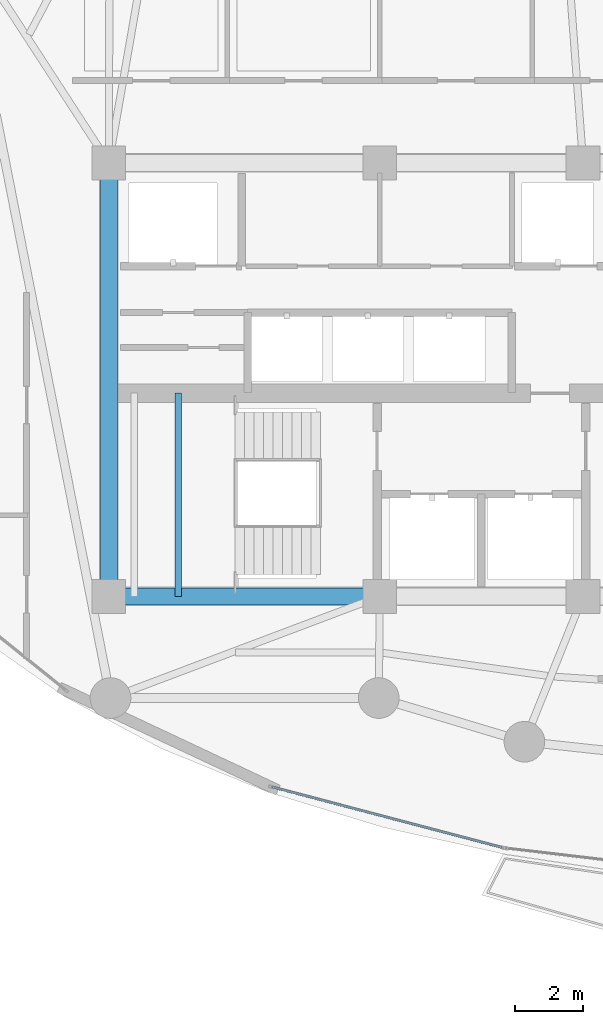
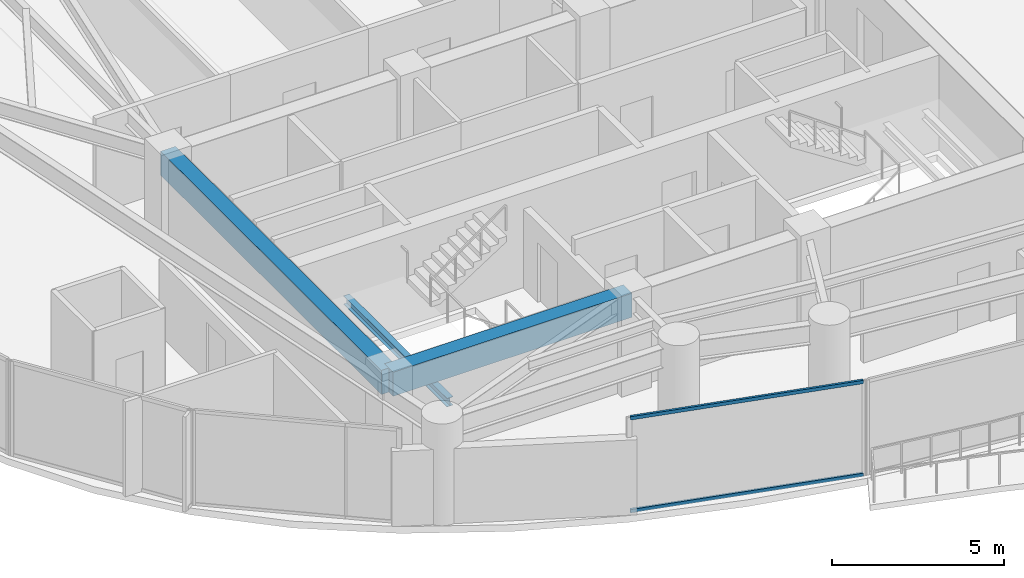
# One storey, part 4 of 34: 3 beams, 2 members, 1 element without a shape of its own.
"""IFC4 building model written with IfcOpenShell, lengths in metres."""

from ifc_helpers import new_model, si_unit, direction, frame, origin, origin_2d, place, context, subcontext, project, spatial, rectangle, hollow_rectangle, i_section, extrude, material, layer, layer_set, material_profile, profile_set, type_object, element, aggregate, save


model = new_model("IFC4")

# Units and contexts
model_context = context("Model", 3, precision=1e-05, world=origin(), true_north=direction((0.0, 1.0)))
body_context = subcontext(model_context, "Body", "Model", "MODEL_VIEW")
ifc_project = project(units=[si_unit("LENGTHUNIT", "METRE"), si_unit("AREAUNIT", "SQUARE_METRE"), si_unit("VOLUMEUNIT", "CUBIC_METRE"), si_unit("PLANEANGLEUNIT", "RADIAN"), si_unit("MASSUNIT", "GRAM", prefix="KILO")], contexts=[model_context])

# Site, building, storey
site_placement = place(None, origin())
site = spatial("IfcSite", under=ifc_project, at=site_placement, CompositionType="ELEMENT")
building_placement = place(site_placement, origin())
building = spatial("IfcBuilding", under=site, at=building_placement, Name="Kazevale Care Tower and Concert Hall", CompositionType="ELEMENT")
storey_placement = place(building_placement, frame((0.0, 0.0, 174.60009765625)))
storey = spatial("IfcBuildingStorey", under=building, at=storey_placement, Name="L46", CompositionType="ELEMENT", Elevation=174.60009765625)

# Curtain wall, members
ifc_material_1 = material(Name="Aluminium 6063-T6 and Low-E Glass", Category="aluminium")
ifc_layer = layer(ifc_material_1, 0.179931640625)
ifc_layer_set = layer_set([ifc_layer], Name="Aluminium 6063-T6 and Low-E Glass")
curtain_wall_type = type_object("IfcCurtainWallType", Name="Sheltered Concave Balcony Curtain Wall CW-5", PredefinedType="NOTDEFINED", material=ifc_layer_set)
curtain_wall_placement = place(storey_placement, origin())
curtain_wall = element("IfcCurtainWall", 1, at=curtain_wall_placement, inside=storey, type_object=curtain_wall_type, Name="cw:L46:f08", PredefinedType="NOTDEFINED")
ifc_material_2 = material(Name="Aluminium 6063-T6", Category="aluminium")
ifc_material_profile_1 = material_profile(ifc_material_2, hollow_rectangle(XDim=0.074951171875, YDim=0.1201171875, WallThickness=0.00390625, at=origin_2d()), Name="ALU75x120x4")
ifc_profile_set_1 = profile_set([ifc_material_profile_1], Name="Aluminium 6063-T6")
member_type = type_object("IfcMemberType", Name="CW-5 Transom ALU75x120x4", PredefinedType="USERDEFINED", material=ifc_profile_set_1)
member_1_placement = place(storey_placement, frame((33.598388671875, 16.193115234375, 0.037353515625), z_axis=(-0.967142752699, 0.254233939321, 0.0), x_axis=(-0.254233939321, -0.967142752699, 0.0)))
member_1 = element("IfcMember", 2, at=member_1_placement, type_object=member_type, Name="CW-5 transom 1.1", ObjectType="TRANSOM", PredefinedType="USERDEFINED", context=body_context, shape_type="SweptSolid", body=[
    extrude(hollow_rectangle(XDim=0.074951171875, YDim=0.1201171875, WallThickness=0.00390625, at=origin_2d()), origin(), (0.0, 0.0, 1.0), 6.996826171875),
])
member_2_placement = place(storey_placement, frame((33.598388671875, 16.193115234375, 3.322509765625), z_axis=(-0.967142752699, 0.254233939321, 0.0), x_axis=(-0.254233939321, -0.967142752699, 0.0)))
member_2 = element("IfcMember", 3, at=member_2_placement, type_object=member_type, Name="CW-5 transom 1.2", ObjectType="TRANSOM", PredefinedType="USERDEFINED", context=body_context, shape_type="SweptSolid", body=[
    extrude(hollow_rectangle(XDim=0.074951171875, YDim=0.1201171875, WallThickness=0.00390625, at=origin_2d()), origin(), (0.0, 0.0, 1.0), 6.996826171875),
])
aggregate(curtain_wall, [member_1, member_2])

# Beams
ifc_material_3 = material(Name="Concrete C60", Category="concrete")
ifc_material_profile_2 = material_profile(ifc_material_3, rectangle(XDim=0.5, YDim=0.85009765625, at=origin_2d()), Name="RC-B500x850")
ifc_profile_set_2 = profile_set([ifc_material_profile_2], Name="Concrete C60")
beam_type_1 = type_object("IfcBeamType", Name="Core Coupling Beam RC500x850", PredefinedType="LINTEL", material=ifc_profile_set_2)
beam_1_placement = place(storey_placement, frame((22.0, 23.60009765625, 2.934814453125), z_axis=(1.0, 0.0, 0.0), x_axis=(0.0, 1.0, 0.0)))
element("IfcBeam", 4, at=beam_1_placement, inside=storey, type_object=beam_type_1, Name="beam:L46:coretie:1", PredefinedType="LINTEL", context=body_context, shape_type="SweptSolid", body=[
    extrude(rectangle(XDim=0.5, YDim=0.85009765625, at=origin_2d()), origin(), (0.0, 0.0, 1.0), 8.0),
])
beam_2_placement = place(storey_placement, frame((22.0, 36.39990234375, 2.934814453125), z_axis=(0.0, -1.0, 0.0), x_axis=(1.0, 0.0, 0.0)))
element("IfcBeam", 5, at=beam_2_placement, inside=storey, type_object=beam_type_1, Name="beam:L46:coretie:8", PredefinedType="LINTEL", context=body_context, shape_type="SweptSolid", body=[
    extrude(rectangle(XDim=0.5, YDim=0.85009765625, at=origin_2d()), origin(), (0.0, 0.0, 1.0), 12.7998046875),
])
ifc_material_4 = material(Name="Steel ASTM A572 Gr 50", Category="steel")
ifc_material_profile_3 = material_profile(ifc_material_4, i_section(OverallWidth=0.202880859375, OverallDepth=0.302978515625, WebThickness=0.007568359375, FlangeThickness=0.01318359375, at=origin_2d()), Name="W310x60")
ifc_profile_set_3 = profile_set([ifc_material_profile_3], Name="Steel ASTM A572 Gr 50")
beam_type_2 = type_object("IfcBeamType", Name="Stair & Balcony Trimmer W310x60", PredefinedType="BEAM", material=ifc_profile_set_3)
beam_3_placement = place(storey_placement, frame((24.050048828125, 23.60009765625, 1.448486328125), z_axis=(0.0, 1.0, 0.0), x_axis=(-1.0, 0.0, 0.0)))
element("IfcBeam", 6, at=beam_3_placement, inside=storey, type_object=beam_type_2, Name="beam:L46:sttrim:ST1b", PredefinedType="BEAM", context=body_context, shape_type="SweptSolid", body=[
    extrude(i_section(OverallWidth=0.202880859375, OverallDepth=0.302978515625, WebThickness=0.007568359375, FlangeThickness=0.01318359375, at=origin_2d()), origin(), (0.0, 0.0, 1.0), 6.0),
])

save(model, "model.ifc")
